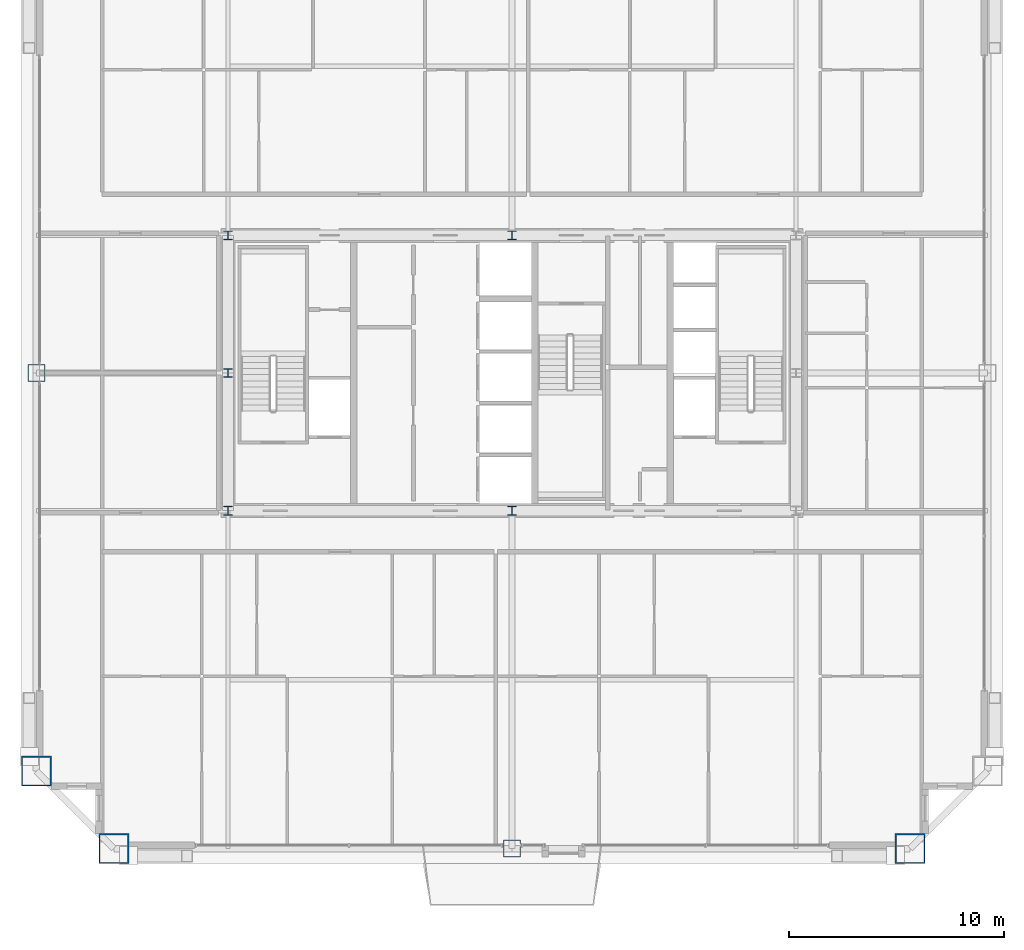
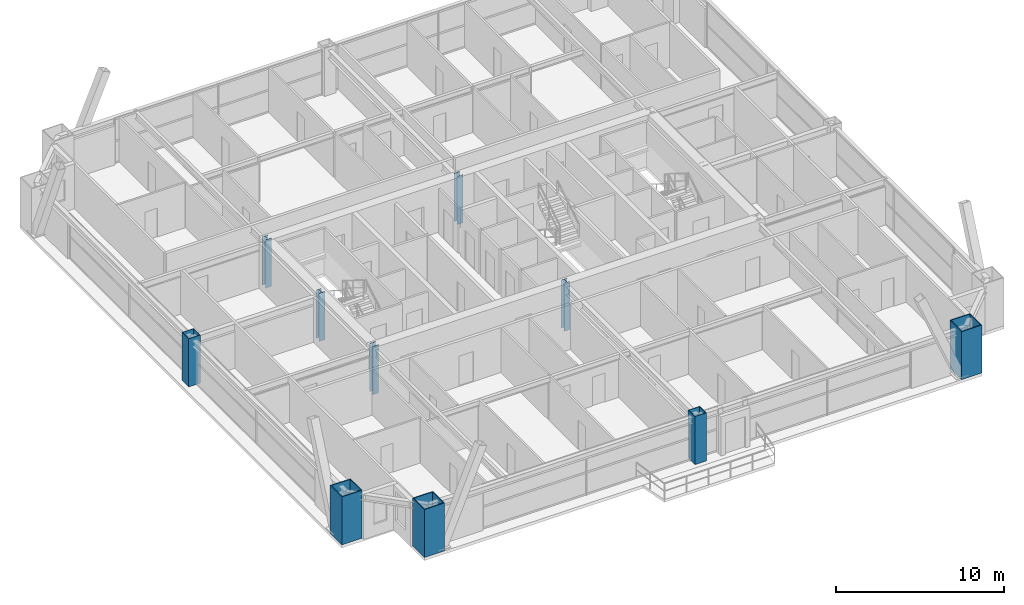
# One storey, part 1 of 45: 10 columns.
"""IFC4 building model written with IfcOpenShell, lengths in metres."""

from ifc_helpers import new_model, si_unit, direction, frame, origin, origin_2d, place, context, subcontext, project, spatial, hollow_rectangle, i_section, extrude, source, transform, mapped, material, material_profile, profile_set, type_object, element, save


model = new_model("IFC4")

# Units and contexts
model_context = context("Model", 3, precision=1e-05, world=origin(), true_north=direction((0.0, 1.0)))
body_context = subcontext(model_context, "Body", "Model", "MODEL_VIEW")
ifc_project = project(units=[si_unit("LENGTHUNIT", "METRE"), si_unit("AREAUNIT", "SQUARE_METRE"), si_unit("VOLUMEUNIT", "CUBIC_METRE"), si_unit("PLANEANGLEUNIT", "RADIAN"), si_unit("MASSUNIT", "GRAM", prefix="KILO"), si_unit("THERMODYNAMICTEMPERATUREUNIT", "KELVIN"), si_unit("POWERUNIT", "WATT")], contexts=[model_context])

# Site, building, storey
site_placement = place(None, origin())
site = spatial("IfcSite", under=ifc_project, at=site_placement, CompositionType="ELEMENT")
building_placement = place(site_placement, origin())
building = spatial("IfcBuilding", under=site, at=building_placement, Name="Yuzanri Waterfront Tower", CompositionType="ELEMENT")
storey_placement = place(building_placement, frame((0.0, 0.0, 198.5)))
storey = spatial("IfcBuildingStorey", under=building, at=storey_placement, Name="L52", CompositionType="ELEMENT", Elevation=198.5)

# Columns
ifc_material_1 = material(Name="Steel Q355B", Category="steel")
ifc_material_profile_1 = material_profile(ifc_material_1, i_section(OverallWidth=0.39990234375, OverallDepth=0.39990234375, WebThickness=0.012939453125, FlangeThickness=0.02099609375, at=origin_2d()), Name="HW 400x400x13x21")
ifc_profile_set_1 = profile_set([ifc_material_profile_1], Name="Steel Q355B")
column_type_1 = type_object("IfcColumnType", Name="Core Post Q355B HW 400x400x13x21", PredefinedType="COLUMN", material=ifc_profile_set_1)
shared_shape_1 = source(origin(), body_context, "Body", "SweptSolid", [
    extrude(i_section(OverallWidth=0.39990234375, OverallDepth=0.39990234375, WebThickness=0.012939453125, FlangeThickness=0.02099609375, at=origin_2d()), origin(), (0.0, 0.0, 1.0), 3.5),
])
for number, where, z_axis, x_axis, name in (
    (1, (23.800048828125, 19.39990234375, 0.0), (0.0, 0.0, 1.0), (1.0, 0.0, 0.0), "L52 Core Boundary Column CP1"),
    (2, (37.0, 19.39990234375, 0.0), (0.0, 0.0, 1.0), (1.0, 0.0, 0.0), "L52 Core Boundary Column CP2"),
    (3, (23.800048828125, 25.800048828125, 0.0), (0.0, 0.0, 1.0), (1.0, 0.0, 0.0), "L52 Core Boundary Column CP4"),
    (4, (23.800048828125, 32.199951171875, 0.0), (0.0, 0.0, 1.0), (1.0, 0.0, 0.0), "L52 Core Boundary Column CP6"),
    (5, (37.0, 32.199951171875, 0.0), (0.0, 0.0, 1.0), (1.0, 0.0, 0.0), "L52 Core Boundary Column CP7"),
):
    element("IfcColumn", number, at=place(storey_placement, frame(where, z_axis=z_axis, x_axis=x_axis)), inside=storey, type_object=column_type_1, Name=name, PredefinedType="COLUMN", context=body_context, shape_type="MappedRepresentation", body=[
        mapped(shared_shape_1, transform((0.0, 0.0, 0.0), scale=1.0)),
    ])
ifc_material_2 = material(Name="Steel Q420GJC", Category="steel")
ifc_material_profile_2 = material_profile(ifc_material_2, hollow_rectangle(XDim=1.39990234375, YDim=1.39990234375, WallThickness=0.06005859375, at=origin_2d()), Name="RHS 1400x1400x60")
ifc_profile_set_2 = profile_set([ifc_material_profile_2], Name="Steel Q420GJC")
column_type_2 = type_object("IfcColumnType", Name="Mega Column Q420GJC RHS 1400x1400x60", PredefinedType="COLUMN", material=ifc_profile_set_2)
shared_shape_2 = source(origin(), body_context, "Body", "SweptSolid", [
    extrude(hollow_rectangle(XDim=1.39990234375, YDim=1.39990234375, WallThickness=0.06005859375, at=origin_2d()), origin(), (0.0, 0.0, 1.0), 3.5),
])
for number, where, z_axis, x_axis, name in (
    (6, (18.5, 3.699951171875, 0.0), (0.0, 0.0, 1.0), (1.0, 0.0, 0.0), "L52 Perimeter Mega Column S1"),
    (7, (55.5, 3.699951171875, 0.0), (0.0, 0.0, 1.0), (1.0, 0.0, 0.0), "L52 Perimeter Mega Column S3"),
    (8, (14.89990234375, 7.300048828125, 0.0), (0.0, 0.0, 1.0), (1.0, 0.0, 0.0), "L52 Perimeter Mega Column W1"),
):
    element("IfcColumn", number, at=place(storey_placement, frame(where, z_axis=z_axis, x_axis=x_axis)), inside=storey, type_object=column_type_2, Name=name, PredefinedType="COLUMN", context=body_context, shape_type="MappedRepresentation", body=[
        mapped(shared_shape_2, transform((0.0, 0.0, 0.0), scale=1.0)),
    ])
ifc_material_3 = material(Name="Steel Q390GJC", Category="steel")
ifc_material_profile_3 = material_profile(ifc_material_3, hollow_rectangle(XDim=0.800048828125, YDim=0.800048828125, WallThickness=0.035888671875, at=origin_2d()), Name="RHS 800x800x36")
ifc_profile_set_3 = profile_set([ifc_material_profile_3], Name="Steel Q390GJC")
column_type_3 = type_object("IfcColumnType", Name="Frame Column Q390GJC RHS 800x800x36", PredefinedType="COLUMN", material=ifc_profile_set_3)
shared_shape_3 = source(origin(), body_context, "Body", "SweptSolid", [
    extrude(hollow_rectangle(XDim=0.800048828125, YDim=0.800048828125, WallThickness=0.035888671875, at=origin_2d()), origin(), (0.0, 0.0, 1.0), 3.5),
])
for number, where, z_axis, x_axis, name in (
    (9, (37.0, 3.699951171875, 0.0), (0.0, 0.0, 1.0), (1.0, 0.0, 0.0), "L52 Perimeter Frame Column S2"),
    (10, (14.89990234375, 25.800048828125, 0.0), (0.0, 0.0, 1.0), (1.0, 0.0, 0.0), "L52 Perimeter Frame Column W2"),
):
    element("IfcColumn", number, at=place(storey_placement, frame(where, z_axis=z_axis, x_axis=x_axis)), inside=storey, type_object=column_type_3, Name=name, PredefinedType="COLUMN", context=body_context, shape_type="MappedRepresentation", body=[
        mapped(shared_shape_3, transform((0.0, 0.0, 0.0), scale=1.0)),
    ])

save(model, "model.ifc")
